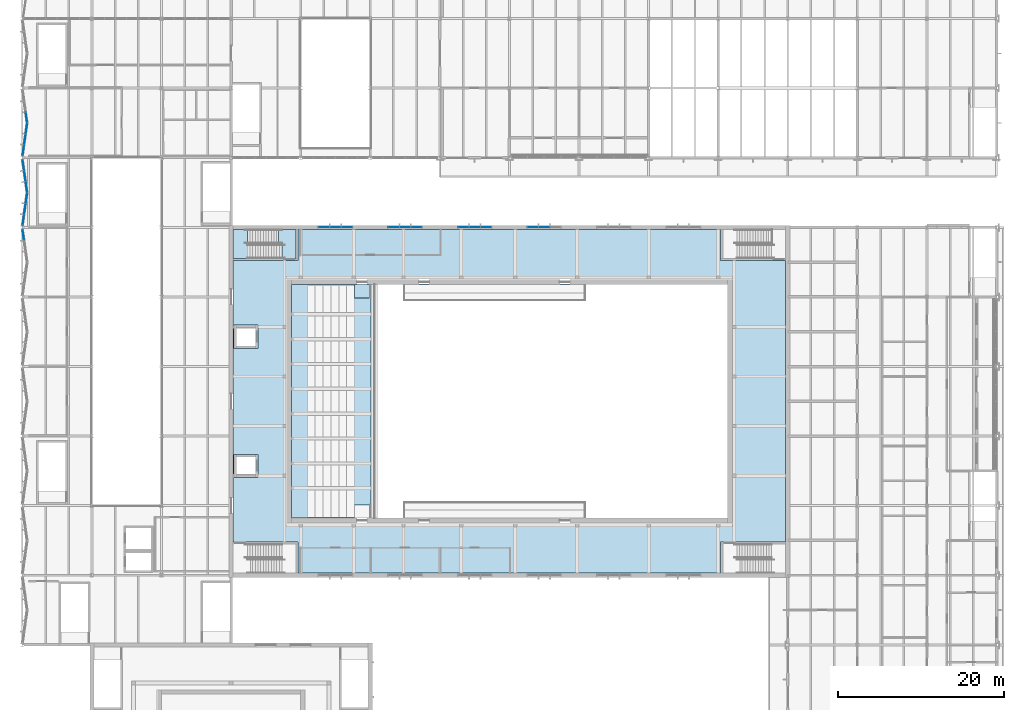
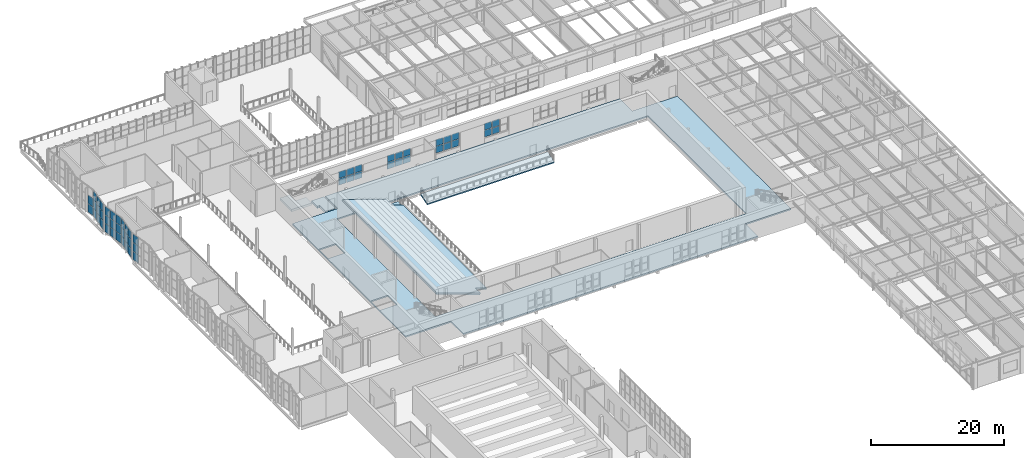
# One storey, part 60 of 116: 54 plates, 6 slabs, 10 elements without a shape of their own.
"""IFC4 building model written with IfcOpenShell, lengths in metres."""

from ifc_helpers import new_model, si_unit, direction, frame, origin, origin_2d, place, context, subcontext, project, spatial, polyline, rectangle, outline, extrude, material, layer, layer_set, type_object, element, aggregate, save


model = new_model("IFC4")

# Units and contexts
model_context = context("Model", 3, precision=1e-05, world=origin(), true_north=direction((0.0, 1.0)))
body_context = subcontext(model_context, "Body", "Model", "MODEL_VIEW")
ifc_project = project(units=[si_unit("LENGTHUNIT", "METRE"), si_unit("AREAUNIT", "SQUARE_METRE"), si_unit("VOLUMEUNIT", "CUBIC_METRE"), si_unit("PLANEANGLEUNIT", "RADIAN"), si_unit("MASSUNIT", "GRAM", prefix="KILO")], contexts=[model_context])

# Site, building, storey
site_placement = place(None, origin())
site = spatial("IfcSite", under=ifc_project, at=site_placement, CompositionType="ELEMENT")
building_placement = place(site_placement, origin())
building = spatial("IfcBuilding", under=site, at=building_placement, Name="Ljudholm Concert House", CompositionType="ELEMENT")
storey_placement = place(building_placement, frame((0.0, 0.0, 10.199951171875)))
storey = spatial("IfcBuildingStorey", under=building, at=storey_placement, Name="L02", CompositionType="ELEMENT", Elevation=10.199951171875)

# Curtain wall, plates
ifc_material_1 = material(Name="Aluminium curtain wall with impact-rated laminated glass", Category="aluminium")
curtain_wall_type = type_object("IfcCurtainWallType", Name="CURTAIN WALL 1400", PredefinedType="NOTDEFINED", material=ifc_material_1)
curtain_wall_1_placement = place(storey_placement, origin())
curtain_wall_1 = element("IfcCurtainWall", 1, at=curtain_wall_1_placement, inside=storey, type_object=curtain_wall_type, Name="Promenade curtain wall", PredefinedType="NOTDEFINED")
ifc_material_2 = material(Name="Impact-rated laminated glass", Category="glass")
ifc_layer_1 = layer(ifc_material_2, 0.028076171875)
ifc_layer_set_1 = layer_set([ifc_layer_1], Name="Impact-rated laminated glass")
plate_type = type_object("IfcPlateType", Name="CURTAIN PANEL 28", PredefinedType="CURTAIN_PANEL", material=ifc_layer_set_1)
plate_1_placement = place(storey_placement, frame((40.43505859375, 96.39990234375, 0.9599609375), z_axis=(0.0, 0.0, 1.0), x_axis=(1.0, 0.0, 0.0)))
plate_1 = element("IfcPlate", 2, at=plate_1_placement, type_object=plate_type, Name="Curtain wall panel", PredefinedType="CURTAIN_PANEL", context=body_context, shape_type="SweptSolid", body=[
    extrude(rectangle(XDim=1.2900390625, YDim=0.028076171875, at=origin_2d()), origin(), (0.0, 0.0, 1.0), 1.2099609375),
])
plate_2_placement = place(storey_placement, frame((40.43505859375, 96.39990234375, 2.22998046875), z_axis=(0.0, 0.0, 1.0), x_axis=(1.0, 0.0, 0.0)))
plate_2 = element("IfcPlate", 3, at=plate_2_placement, type_object=plate_type, Name="Curtain wall panel", PredefinedType="CURTAIN_PANEL", context=body_context, shape_type="SweptSolid", body=[
    extrude(rectangle(XDim=1.2900390625, YDim=0.028076171875, at=origin_2d()), origin(), (0.0, 0.0, 1.0), 1.2099609375),
])
plate_3_placement = place(storey_placement, frame((41.800048828125, 96.39990234375, 0.9599609375), z_axis=(0.0, 0.0, 1.0), x_axis=(1.0, 0.0, 0.0)))
plate_3 = element("IfcPlate", 4, at=plate_3_placement, type_object=plate_type, Name="Curtain wall panel", PredefinedType="CURTAIN_PANEL", context=body_context, shape_type="SweptSolid", body=[
    extrude(rectangle(XDim=1.320068359375, YDim=0.028076171875, at=origin_2d()), origin(), (0.0, 0.0, 1.0), 1.2099609375),
])
plate_4_placement = place(storey_placement, frame((41.800048828125, 96.39990234375, 2.22998046875), z_axis=(0.0, 0.0, 1.0), x_axis=(1.0, 0.0, 0.0)))
plate_4 = element("IfcPlate", 5, at=plate_4_placement, type_object=plate_type, Name="Curtain wall panel", PredefinedType="CURTAIN_PANEL", context=body_context, shape_type="SweptSolid", body=[
    extrude(rectangle(XDim=1.320068359375, YDim=0.028076171875, at=origin_2d()), origin(), (0.0, 0.0, 1.0), 1.2099609375),
])
plate_5_placement = place(storey_placement, frame((43.1650390625, 96.39990234375, 0.9599609375), z_axis=(0.0, 0.0, 1.0), x_axis=(1.0, 0.0, 0.0)))
plate_5 = element("IfcPlate", 6, at=plate_5_placement, type_object=plate_type, Name="Curtain wall panel", PredefinedType="CURTAIN_PANEL", context=body_context, shape_type="SweptSolid", body=[
    extrude(rectangle(XDim=1.2900390625, YDim=0.028076171875, at=origin_2d()), origin(), (0.0, 0.0, 1.0), 1.2099609375),
])
plate_6_placement = place(storey_placement, frame((43.1650390625, 96.39990234375, 2.22998046875), z_axis=(0.0, 0.0, 1.0), x_axis=(1.0, 0.0, 0.0)))
plate_6 = element("IfcPlate", 7, at=plate_6_placement, type_object=plate_type, Name="Curtain wall panel", PredefinedType="CURTAIN_PANEL", context=body_context, shape_type="SweptSolid", body=[
    extrude(rectangle(XDim=1.2900390625, YDim=0.028076171875, at=origin_2d()), origin(), (0.0, 0.0, 1.0), 1.2099609375),
])
aggregate(curtain_wall_1, [plate_1, plate_2, plate_3, plate_4, plate_5, plate_6])

curtain_wall_2_placement = place(storey_placement, origin())
curtain_wall_2 = element("IfcCurtainWall", 8, at=curtain_wall_2_placement, inside=storey, type_object=curtain_wall_type, Name="Promenade curtain wall", PredefinedType="NOTDEFINED")
plate_7_placement = place(storey_placement, frame((48.8349609375, 96.39990234375, 0.9599609375), z_axis=(0.0, 0.0, 1.0), x_axis=(1.0, 0.0, 0.0)))
plate_7 = element("IfcPlate", 9, at=plate_7_placement, type_object=plate_type, Name="Curtain wall panel", PredefinedType="CURTAIN_PANEL", context=body_context, shape_type="SweptSolid", body=[
    extrude(rectangle(XDim=1.2900390625, YDim=0.028076171875, at=origin_2d()), origin(), (0.0, 0.0, 1.0), 1.2099609375),
])
plate_8_placement = place(storey_placement, frame((48.8349609375, 96.39990234375, 2.22998046875), z_axis=(0.0, 0.0, 1.0), x_axis=(1.0, 0.0, 0.0)))
plate_8 = element("IfcPlate", 10, at=plate_8_placement, type_object=plate_type, Name="Curtain wall panel", PredefinedType="CURTAIN_PANEL", context=body_context, shape_type="SweptSolid", body=[
    extrude(rectangle(XDim=1.2900390625, YDim=0.028076171875, at=origin_2d()), origin(), (0.0, 0.0, 1.0), 1.2099609375),
])
plate_9_placement = place(storey_placement, frame((50.199951171875, 96.39990234375, 0.9599609375), z_axis=(0.0, 0.0, 1.0), x_axis=(1.0, 0.0, 0.0)))
plate_9 = element("IfcPlate", 11, at=plate_9_placement, type_object=plate_type, Name="Curtain wall panel", PredefinedType="CURTAIN_PANEL", context=body_context, shape_type="SweptSolid", body=[
    extrude(rectangle(XDim=1.320068359375, YDim=0.028076171875, at=origin_2d()), origin(), (0.0, 0.0, 1.0), 1.2099609375),
])
plate_10_placement = place(storey_placement, frame((50.199951171875, 96.39990234375, 2.22998046875), z_axis=(0.0, 0.0, 1.0), x_axis=(1.0, 0.0, 0.0)))
plate_10 = element("IfcPlate", 12, at=plate_10_placement, type_object=plate_type, Name="Curtain wall panel", PredefinedType="CURTAIN_PANEL", context=body_context, shape_type="SweptSolid", body=[
    extrude(rectangle(XDim=1.320068359375, YDim=0.028076171875, at=origin_2d()), origin(), (0.0, 0.0, 1.0), 1.2099609375),
])
plate_11_placement = place(storey_placement, frame((51.56494140625, 96.39990234375, 0.9599609375), z_axis=(0.0, 0.0, 1.0), x_axis=(1.0, 0.0, 0.0)))
plate_11 = element("IfcPlate", 13, at=plate_11_placement, type_object=plate_type, Name="Curtain wall panel", PredefinedType="CURTAIN_PANEL", context=body_context, shape_type="SweptSolid", body=[
    extrude(rectangle(XDim=1.2900390625, YDim=0.028076171875, at=origin_2d()), origin(), (0.0, 0.0, 1.0), 1.2099609375),
])
plate_12_placement = place(storey_placement, frame((51.56494140625, 96.39990234375, 2.22998046875), z_axis=(0.0, 0.0, 1.0), x_axis=(1.0, 0.0, 0.0)))
plate_12 = element("IfcPlate", 14, at=plate_12_placement, type_object=plate_type, Name="Curtain wall panel", PredefinedType="CURTAIN_PANEL", context=body_context, shape_type="SweptSolid", body=[
    extrude(rectangle(XDim=1.2900390625, YDim=0.028076171875, at=origin_2d()), origin(), (0.0, 0.0, 1.0), 1.2099609375),
])
aggregate(curtain_wall_2, [plate_7, plate_8, plate_9, plate_10, plate_11, plate_12])

curtain_wall_3_placement = place(storey_placement, origin())
curtain_wall_3 = element("IfcCurtainWall", 15, at=curtain_wall_3_placement, inside=storey, type_object=curtain_wall_type, Name="Promenade curtain wall", PredefinedType="NOTDEFINED")
plate_13_placement = place(storey_placement, frame((57.235107421875, 96.39990234375, 0.9599609375), z_axis=(0.0, 0.0, 1.0), x_axis=(1.0, 0.0, 0.0)))
plate_13 = element("IfcPlate", 16, at=plate_13_placement, type_object=plate_type, Name="Curtain wall panel", PredefinedType="CURTAIN_PANEL", context=body_context, shape_type="SweptSolid", body=[
    extrude(rectangle(XDim=1.2900390625, YDim=0.028076171875, at=origin_2d()), origin(), (0.0, 0.0, 1.0), 1.2099609375),
])
plate_14_placement = place(storey_placement, frame((57.235107421875, 96.39990234375, 2.22998046875), z_axis=(0.0, 0.0, 1.0), x_axis=(1.0, 0.0, 0.0)))
plate_14 = element("IfcPlate", 17, at=plate_14_placement, type_object=plate_type, Name="Curtain wall panel", PredefinedType="CURTAIN_PANEL", context=body_context, shape_type="SweptSolid", body=[
    extrude(rectangle(XDim=1.2900390625, YDim=0.028076171875, at=origin_2d()), origin(), (0.0, 0.0, 1.0), 1.2099609375),
])
plate_15_placement = place(storey_placement, frame((58.60009765625, 96.39990234375, 0.9599609375), z_axis=(0.0, 0.0, 1.0), x_axis=(1.0, 0.0, 0.0)))
plate_15 = element("IfcPlate", 18, at=plate_15_placement, type_object=plate_type, Name="Curtain wall panel", PredefinedType="CURTAIN_PANEL", context=body_context, shape_type="SweptSolid", body=[
    extrude(rectangle(XDim=1.320068359375, YDim=0.028076171875, at=origin_2d()), origin(), (0.0, 0.0, 1.0), 1.2099609375),
])
plate_16_placement = place(storey_placement, frame((58.60009765625, 96.39990234375, 2.22998046875), z_axis=(0.0, 0.0, 1.0), x_axis=(1.0, 0.0, 0.0)))
plate_16 = element("IfcPlate", 19, at=plate_16_placement, type_object=plate_type, Name="Curtain wall panel", PredefinedType="CURTAIN_PANEL", context=body_context, shape_type="SweptSolid", body=[
    extrude(rectangle(XDim=1.320068359375, YDim=0.028076171875, at=origin_2d()), origin(), (0.0, 0.0, 1.0), 1.2099609375),
])
plate_17_placement = place(storey_placement, frame((59.965087890625, 96.39990234375, 0.9599609375), z_axis=(0.0, 0.0, 1.0), x_axis=(1.0, 0.0, 0.0)))
plate_17 = element("IfcPlate", 20, at=plate_17_placement, type_object=plate_type, Name="Curtain wall panel", PredefinedType="CURTAIN_PANEL", context=body_context, shape_type="SweptSolid", body=[
    extrude(rectangle(XDim=1.2900390625, YDim=0.028076171875, at=origin_2d()), origin(), (0.0, 0.0, 1.0), 1.2099609375),
])
plate_18_placement = place(storey_placement, frame((59.965087890625, 96.39990234375, 2.22998046875), z_axis=(0.0, 0.0, 1.0), x_axis=(1.0, 0.0, 0.0)))
plate_18 = element("IfcPlate", 21, at=plate_18_placement, type_object=plate_type, Name="Curtain wall panel", PredefinedType="CURTAIN_PANEL", context=body_context, shape_type="SweptSolid", body=[
    extrude(rectangle(XDim=1.2900390625, YDim=0.028076171875, at=origin_2d()), origin(), (0.0, 0.0, 1.0), 1.2099609375),
])
aggregate(curtain_wall_3, [plate_13, plate_14, plate_15, plate_16, plate_17, plate_18])

curtain_wall_4_placement = place(storey_placement, origin())
curtain_wall_4 = element("IfcCurtainWall", 22, at=curtain_wall_4_placement, inside=storey, type_object=curtain_wall_type, Name="Promenade curtain wall", PredefinedType="NOTDEFINED")
plate_19_placement = place(storey_placement, frame((65.635009765625, 96.39990234375, 0.9599609375), z_axis=(0.0, 0.0, 1.0), x_axis=(1.0, 0.0, 0.0)))
plate_19 = element("IfcPlate", 23, at=plate_19_placement, type_object=plate_type, Name="Curtain wall panel", PredefinedType="CURTAIN_PANEL", context=body_context, shape_type="SweptSolid", body=[
    extrude(rectangle(XDim=1.2900390625, YDim=0.028076171875, at=origin_2d()), origin(), (0.0, 0.0, 1.0), 1.2099609375),
])
plate_20_placement = place(storey_placement, frame((65.635009765625, 96.39990234375, 2.22998046875), z_axis=(0.0, 0.0, 1.0), x_axis=(1.0, 0.0, 0.0)))
plate_20 = element("IfcPlate", 24, at=plate_20_placement, type_object=plate_type, Name="Curtain wall panel", PredefinedType="CURTAIN_PANEL", context=body_context, shape_type="SweptSolid", body=[
    extrude(rectangle(XDim=1.2900390625, YDim=0.028076171875, at=origin_2d()), origin(), (0.0, 0.0, 1.0), 1.2099609375),
])
plate_21_placement = place(storey_placement, frame((67.0, 96.39990234375, 0.9599609375), z_axis=(0.0, 0.0, 1.0), x_axis=(1.0, 0.0, 0.0)))
plate_21 = element("IfcPlate", 25, at=plate_21_placement, type_object=plate_type, Name="Curtain wall panel", PredefinedType="CURTAIN_PANEL", context=body_context, shape_type="SweptSolid", body=[
    extrude(rectangle(XDim=1.320068359375, YDim=0.028076171875, at=origin_2d()), origin(), (0.0, 0.0, 1.0), 1.2099609375),
])
plate_22_placement = place(storey_placement, frame((67.0, 96.39990234375, 2.22998046875), z_axis=(0.0, 0.0, 1.0), x_axis=(1.0, 0.0, 0.0)))
plate_22 = element("IfcPlate", 26, at=plate_22_placement, type_object=plate_type, Name="Curtain wall panel", PredefinedType="CURTAIN_PANEL", context=body_context, shape_type="SweptSolid", body=[
    extrude(rectangle(XDim=1.320068359375, YDim=0.028076171875, at=origin_2d()), origin(), (0.0, 0.0, 1.0), 1.2099609375),
])
aggregate(curtain_wall_4, [plate_19, plate_20, plate_21, plate_22])

curtain_wall_5_placement = place(storey_placement, origin())
curtain_wall_5 = element("IfcCurtainWall", 27, at=curtain_wall_5_placement, inside=storey, type_object=curtain_wall_type, Name="Facade curtain wall", PredefinedType="NOTDEFINED")
plate_23_placement = place(storey_placement, frame((4.1279296875, 95.503662109375, 0.06005859375), z_axis=(0.0, 0.0, 1.0), x_axis=(-0.141421356338, 0.989949493647, 0.0)))
plate_23 = element("IfcPlate", 28, at=plate_23_placement, type_object=plate_type, Name="Curtain wall panel", PredefinedType="CURTAIN_PANEL", context=body_context, shape_type="SweptSolid", body=[
    extrude(rectangle(XDim=1.2509765625, YDim=0.028076171875, at=origin_2d()), origin(), (0.0, 0.0, 1.0), 1.510009765625),
])
plate_24_placement = place(storey_placement, frame((4.1279296875, 95.503662109375, 1.630126953125), z_axis=(0.0, 0.0, 1.0), x_axis=(-0.141421356338, 0.989949493647, 0.0)))
plate_24 = element("IfcPlate", 29, at=plate_24_placement, type_object=plate_type, Name="Curtain wall panel", PredefinedType="CURTAIN_PANEL", context=body_context, shape_type="SweptSolid", body=[
    extrude(rectangle(XDim=1.2509765625, YDim=0.028076171875, at=origin_2d()), origin(), (0.0, 0.0, 1.0), 1.5400390625),
])
plate_25_placement = place(storey_placement, frame((4.1279296875, 95.503662109375, 3.22998046875), z_axis=(0.0, 0.0, 1.0), x_axis=(-0.141421356338, 0.989949493647, 0.0)))
plate_25 = element("IfcPlate", 30, at=plate_25_placement, type_object=plate_type, Name="Curtain wall panel", PredefinedType="CURTAIN_PANEL", context=body_context, shape_type="SweptSolid", body=[
    extrude(rectangle(XDim=1.2509765625, YDim=0.028076171875, at=origin_2d()), origin(), (0.0, 0.0, 1.0), 1.510009765625),
])
aggregate(curtain_wall_5, [plate_23, plate_24, plate_25])

curtain_wall_6_placement = place(storey_placement, origin())
curtain_wall_6 = element("IfcCurtainWall", 31, at=curtain_wall_6_placement, inside=storey, type_object=curtain_wall_type, Name="Facade curtain wall", PredefinedType="NOTDEFINED")
plate_26_placement = place(storey_placement, frame((4.1279296875, 97.29638671875, 0.06005859375), z_axis=(0.0, 0.0, 1.0), x_axis=(0.141421356338, 0.989949493647, 0.0)))
plate_26 = element("IfcPlate", 32, at=plate_26_placement, type_object=plate_type, Name="Curtain wall panel", PredefinedType="CURTAIN_PANEL", context=body_context, shape_type="SweptSolid", body=[
    extrude(rectangle(XDim=1.2509765625, YDim=0.028076171875, at=origin_2d()), origin(), (0.0, 0.0, 1.0), 1.510009765625),
])
plate_27_placement = place(storey_placement, frame((4.1279296875, 97.29638671875, 1.630126953125), z_axis=(0.0, 0.0, 1.0), x_axis=(0.141421356338, 0.989949493647, 0.0)))
plate_27 = element("IfcPlate", 33, at=plate_27_placement, type_object=plate_type, Name="Curtain wall panel", PredefinedType="CURTAIN_PANEL", context=body_context, shape_type="SweptSolid", body=[
    extrude(rectangle(XDim=1.2509765625, YDim=0.028076171875, at=origin_2d()), origin(), (0.0, 0.0, 1.0), 1.5400390625),
])
plate_28_placement = place(storey_placement, frame((4.1279296875, 97.29638671875, 3.22998046875), z_axis=(0.0, 0.0, 1.0), x_axis=(0.141421356338, 0.989949493647, 0.0)))
plate_28 = element("IfcPlate", 34, at=plate_28_placement, type_object=plate_type, Name="Curtain wall panel", PredefinedType="CURTAIN_PANEL", context=body_context, shape_type="SweptSolid", body=[
    extrude(rectangle(XDim=1.2509765625, YDim=0.028076171875, at=origin_2d()), origin(), (0.0, 0.0, 1.0), 1.510009765625),
])
plate_29_placement = place(storey_placement, frame((4.315673828125, 98.60888671875, 0.06005859375), z_axis=(0.0, 0.0, 1.0), x_axis=(0.141421356338, 0.989949493647, 0.0)))
plate_29 = element("IfcPlate", 35, at=plate_29_placement, type_object=plate_type, Name="Curtain wall panel", PredefinedType="CURTAIN_PANEL", context=body_context, shape_type="SweptSolid", body=[
    extrude(rectangle(XDim=1.28076171875, YDim=0.028076171875, at=origin_2d()), origin(), (0.0, 0.0, 1.0), 1.510009765625),
])
plate_30_placement = place(storey_placement, frame((4.315673828125, 98.60888671875, 1.630126953125), z_axis=(0.0, 0.0, 1.0), x_axis=(0.141421356338, 0.989949493647, 0.0)))
plate_30 = element("IfcPlate", 36, at=plate_30_placement, type_object=plate_type, Name="Curtain wall panel", PredefinedType="CURTAIN_PANEL", context=body_context, shape_type="SweptSolid", body=[
    extrude(rectangle(XDim=1.28076171875, YDim=0.028076171875, at=origin_2d()), origin(), (0.0, 0.0, 1.0), 1.5400390625),
])
plate_31_placement = place(storey_placement, frame((4.315673828125, 98.60888671875, 3.22998046875), z_axis=(0.0, 0.0, 1.0), x_axis=(0.141421356338, 0.989949493647, 0.0)))
plate_31 = element("IfcPlate", 37, at=plate_31_placement, type_object=plate_type, Name="Curtain wall panel", PredefinedType="CURTAIN_PANEL", context=body_context, shape_type="SweptSolid", body=[
    extrude(rectangle(XDim=1.28076171875, YDim=0.028076171875, at=origin_2d()), origin(), (0.0, 0.0, 1.0), 1.510009765625),
])
plate_32_placement = place(storey_placement, frame((4.503173828125, 99.92138671875, 0.06005859375), z_axis=(0.0, 0.0, 1.0), x_axis=(0.141421356338, 0.989949493647, 0.0)))
plate_32 = element("IfcPlate", 38, at=plate_32_placement, type_object=plate_type, Name="Curtain wall panel", PredefinedType="CURTAIN_PANEL", context=body_context, shape_type="SweptSolid", body=[
    extrude(rectangle(XDim=1.2509765625, YDim=0.028076171875, at=origin_2d()), origin(), (0.0, 0.0, 1.0), 1.510009765625),
])
plate_33_placement = place(storey_placement, frame((4.503173828125, 99.92138671875, 1.630126953125), z_axis=(0.0, 0.0, 1.0), x_axis=(0.141421356338, 0.989949493647, 0.0)))
plate_33 = element("IfcPlate", 39, at=plate_33_placement, type_object=plate_type, Name="Curtain wall panel", PredefinedType="CURTAIN_PANEL", context=body_context, shape_type="SweptSolid", body=[
    extrude(rectangle(XDim=1.2509765625, YDim=0.028076171875, at=origin_2d()), origin(), (0.0, 0.0, 1.0), 1.5400390625),
])
plate_34_placement = place(storey_placement, frame((4.503173828125, 99.92138671875, 3.22998046875), z_axis=(0.0, 0.0, 1.0), x_axis=(0.141421356338, 0.989949493647, 0.0)))
plate_34 = element("IfcPlate", 40, at=plate_34_placement, type_object=plate_type, Name="Curtain wall panel", PredefinedType="CURTAIN_PANEL", context=body_context, shape_type="SweptSolid", body=[
    extrude(rectangle(XDim=1.2509765625, YDim=0.028076171875, at=origin_2d()), origin(), (0.0, 0.0, 1.0), 1.510009765625),
])
aggregate(curtain_wall_6, [plate_26, plate_27, plate_28, plate_29, plate_30, plate_31, plate_32, plate_33, plate_34])

curtain_wall_7_placement = place(storey_placement, origin())
curtain_wall_7 = element("IfcCurtainWall", 41, at=curtain_wall_7_placement, inside=storey, type_object=curtain_wall_type, Name="Facade curtain wall", PredefinedType="NOTDEFINED")
plate_35_placement = place(storey_placement, frame((4.503173828125, 101.278564453125, 0.06005859375), z_axis=(0.0, 0.0, 1.0), x_axis=(-0.141421356338, 0.989949493647, 0.0)))
plate_35 = element("IfcPlate", 42, at=plate_35_placement, type_object=plate_type, Name="Curtain wall panel", PredefinedType="CURTAIN_PANEL", context=body_context, shape_type="SweptSolid", body=[
    extrude(rectangle(XDim=1.2509765625, YDim=0.028076171875, at=origin_2d()), origin(), (0.0, 0.0, 1.0), 1.510009765625),
])
plate_36_placement = place(storey_placement, frame((4.503173828125, 101.278564453125, 1.630126953125), z_axis=(0.0, 0.0, 1.0), x_axis=(-0.141421356338, 0.989949493647, 0.0)))
plate_36 = element("IfcPlate", 43, at=plate_36_placement, type_object=plate_type, Name="Curtain wall panel", PredefinedType="CURTAIN_PANEL", context=body_context, shape_type="SweptSolid", body=[
    extrude(rectangle(XDim=1.2509765625, YDim=0.028076171875, at=origin_2d()), origin(), (0.0, 0.0, 1.0), 1.5400390625),
])
plate_37_placement = place(storey_placement, frame((4.503173828125, 101.278564453125, 3.22998046875), z_axis=(0.0, 0.0, 1.0), x_axis=(-0.141421356338, 0.989949493647, 0.0)))
plate_37 = element("IfcPlate", 44, at=plate_37_placement, type_object=plate_type, Name="Curtain wall panel", PredefinedType="CURTAIN_PANEL", context=body_context, shape_type="SweptSolid", body=[
    extrude(rectangle(XDim=1.2509765625, YDim=0.028076171875, at=origin_2d()), origin(), (0.0, 0.0, 1.0), 1.510009765625),
])
plate_38_placement = place(storey_placement, frame((4.315673828125, 102.591064453125, 0.06005859375), z_axis=(0.0, 0.0, 1.0), x_axis=(-0.141421356338, 0.989949493647, 0.0)))
plate_38 = element("IfcPlate", 45, at=plate_38_placement, type_object=plate_type, Name="Curtain wall panel", PredefinedType="CURTAIN_PANEL", context=body_context, shape_type="SweptSolid", body=[
    extrude(rectangle(XDim=1.28076171875, YDim=0.028076171875, at=origin_2d()), origin(), (0.0, 0.0, 1.0), 1.510009765625),
])
plate_39_placement = place(storey_placement, frame((4.315673828125, 102.591064453125, 1.630126953125), z_axis=(0.0, 0.0, 1.0), x_axis=(-0.141421356338, 0.989949493647, 0.0)))
plate_39 = element("IfcPlate", 46, at=plate_39_placement, type_object=plate_type, Name="Curtain wall panel", PredefinedType="CURTAIN_PANEL", context=body_context, shape_type="SweptSolid", body=[
    extrude(rectangle(XDim=1.28076171875, YDim=0.028076171875, at=origin_2d()), origin(), (0.0, 0.0, 1.0), 1.5400390625),
])
plate_40_placement = place(storey_placement, frame((4.315673828125, 102.591064453125, 3.22998046875), z_axis=(0.0, 0.0, 1.0), x_axis=(-0.141421356338, 0.989949493647, 0.0)))
plate_40 = element("IfcPlate", 47, at=plate_40_placement, type_object=plate_type, Name="Curtain wall panel", PredefinedType="CURTAIN_PANEL", context=body_context, shape_type="SweptSolid", body=[
    extrude(rectangle(XDim=1.28076171875, YDim=0.028076171875, at=origin_2d()), origin(), (0.0, 0.0, 1.0), 1.510009765625),
])
plate_41_placement = place(storey_placement, frame((4.1279296875, 103.903564453125, 0.06005859375), z_axis=(0.0, 0.0, 1.0), x_axis=(-0.141421356338, 0.989949493647, 0.0)))
plate_41 = element("IfcPlate", 48, at=plate_41_placement, type_object=plate_type, Name="Curtain wall panel", PredefinedType="CURTAIN_PANEL", context=body_context, shape_type="SweptSolid", body=[
    extrude(rectangle(XDim=1.2509765625, YDim=0.028076171875, at=origin_2d()), origin(), (0.0, 0.0, 1.0), 1.510009765625),
])
plate_42_placement = place(storey_placement, frame((4.1279296875, 103.903564453125, 1.630126953125), z_axis=(0.0, 0.0, 1.0), x_axis=(-0.141421356338, 0.989949493647, 0.0)))
plate_42 = element("IfcPlate", 49, at=plate_42_placement, type_object=plate_type, Name="Curtain wall panel", PredefinedType="CURTAIN_PANEL", context=body_context, shape_type="SweptSolid", body=[
    extrude(rectangle(XDim=1.2509765625, YDim=0.028076171875, at=origin_2d()), origin(), (0.0, 0.0, 1.0), 1.5400390625),
])
plate_43_placement = place(storey_placement, frame((4.1279296875, 103.903564453125, 3.22998046875), z_axis=(0.0, 0.0, 1.0), x_axis=(-0.141421356338, 0.989949493647, 0.0)))
plate_43 = element("IfcPlate", 50, at=plate_43_placement, type_object=plate_type, Name="Curtain wall panel", PredefinedType="CURTAIN_PANEL", context=body_context, shape_type="SweptSolid", body=[
    extrude(rectangle(XDim=1.2509765625, YDim=0.028076171875, at=origin_2d()), origin(), (0.0, 0.0, 1.0), 1.510009765625),
])
aggregate(curtain_wall_7, [plate_35, plate_36, plate_37, plate_38, plate_39, plate_40, plate_41, plate_42, plate_43])

curtain_wall_8_placement = place(storey_placement, origin())
curtain_wall_8 = element("IfcCurtainWall", 51, at=curtain_wall_8_placement, inside=storey, type_object=curtain_wall_type, Name="Facade curtain wall", PredefinedType="NOTDEFINED")
plate_44_placement = place(storey_placement, frame((4.1279296875, 105.6962890625, 0.06005859375), z_axis=(0.0, 0.0, 1.0), x_axis=(0.141421356338, 0.989949493647, 0.0)))
plate_44 = element("IfcPlate", 52, at=plate_44_placement, type_object=plate_type, Name="Curtain wall panel", PredefinedType="CURTAIN_PANEL", context=body_context, shape_type="SweptSolid", body=[
    extrude(rectangle(XDim=1.2509765625, YDim=0.028076171875, at=origin_2d()), origin(), (0.0, 0.0, 1.0), 1.510009765625),
])
plate_45_placement = place(storey_placement, frame((4.1279296875, 105.6962890625, 1.630126953125), z_axis=(0.0, 0.0, 1.0), x_axis=(0.141421356338, 0.989949493647, 0.0)))
plate_45 = element("IfcPlate", 53, at=plate_45_placement, type_object=plate_type, Name="Curtain wall panel", PredefinedType="CURTAIN_PANEL", context=body_context, shape_type="SweptSolid", body=[
    extrude(rectangle(XDim=1.2509765625, YDim=0.028076171875, at=origin_2d()), origin(), (0.0, 0.0, 1.0), 1.5400390625),
])
plate_46_placement = place(storey_placement, frame((4.1279296875, 105.6962890625, 3.22998046875), z_axis=(0.0, 0.0, 1.0), x_axis=(0.141421356338, 0.989949493647, 0.0)))
plate_46 = element("IfcPlate", 54, at=plate_46_placement, type_object=plate_type, Name="Curtain wall panel", PredefinedType="CURTAIN_PANEL", context=body_context, shape_type="SweptSolid", body=[
    extrude(rectangle(XDim=1.2509765625, YDim=0.028076171875, at=origin_2d()), origin(), (0.0, 0.0, 1.0), 1.510009765625),
])
plate_47_placement = place(storey_placement, frame((4.315673828125, 107.0087890625, 0.06005859375), z_axis=(0.0, 0.0, 1.0), x_axis=(0.141421356338, 0.989949493647, 0.0)))
plate_47 = element("IfcPlate", 55, at=plate_47_placement, type_object=plate_type, Name="Curtain wall panel", PredefinedType="CURTAIN_PANEL", context=body_context, shape_type="SweptSolid", body=[
    extrude(rectangle(XDim=1.28076171875, YDim=0.028076171875, at=origin_2d()), origin(), (0.0, 0.0, 1.0), 1.510009765625),
])
plate_48_placement = place(storey_placement, frame((4.315673828125, 107.0087890625, 1.630126953125), z_axis=(0.0, 0.0, 1.0), x_axis=(0.141421356338, 0.989949493647, 0.0)))
plate_48 = element("IfcPlate", 56, at=plate_48_placement, type_object=plate_type, Name="Curtain wall panel", PredefinedType="CURTAIN_PANEL", context=body_context, shape_type="SweptSolid", body=[
    extrude(rectangle(XDim=1.28076171875, YDim=0.028076171875, at=origin_2d()), origin(), (0.0, 0.0, 1.0), 1.5400390625),
])
plate_49_placement = place(storey_placement, frame((4.315673828125, 107.0087890625, 3.22998046875), z_axis=(0.0, 0.0, 1.0), x_axis=(0.141421356338, 0.989949493647, 0.0)))
plate_49 = element("IfcPlate", 57, at=plate_49_placement, type_object=plate_type, Name="Curtain wall panel", PredefinedType="CURTAIN_PANEL", context=body_context, shape_type="SweptSolid", body=[
    extrude(rectangle(XDim=1.28076171875, YDim=0.028076171875, at=origin_2d()), origin(), (0.0, 0.0, 1.0), 1.510009765625),
])
plate_50_placement = place(storey_placement, frame((4.503173828125, 108.321533203125, 0.06005859375), z_axis=(0.0, 0.0, 1.0), x_axis=(0.141421356338, 0.989949493647, 0.0)))
plate_50 = element("IfcPlate", 58, at=plate_50_placement, type_object=plate_type, Name="Curtain wall panel", PredefinedType="CURTAIN_PANEL", context=body_context, shape_type="SweptSolid", body=[
    extrude(rectangle(XDim=1.2509765625, YDim=0.028076171875, at=origin_2d()), origin(), (0.0, 0.0, 1.0), 1.510009765625),
])
plate_51_placement = place(storey_placement, frame((4.503173828125, 108.321533203125, 1.630126953125), z_axis=(0.0, 0.0, 1.0), x_axis=(0.141421356338, 0.989949493647, 0.0)))
plate_51 = element("IfcPlate", 59, at=plate_51_placement, type_object=plate_type, Name="Curtain wall panel", PredefinedType="CURTAIN_PANEL", context=body_context, shape_type="SweptSolid", body=[
    extrude(rectangle(XDim=1.2509765625, YDim=0.028076171875, at=origin_2d()), origin(), (0.0, 0.0, 1.0), 1.5400390625),
])
plate_52_placement = place(storey_placement, frame((4.503173828125, 108.321533203125, 3.22998046875), z_axis=(0.0, 0.0, 1.0), x_axis=(0.141421356338, 0.989949493647, 0.0)))
plate_52 = element("IfcPlate", 60, at=plate_52_placement, type_object=plate_type, Name="Curtain wall panel", PredefinedType="CURTAIN_PANEL", context=body_context, shape_type="SweptSolid", body=[
    extrude(rectangle(XDim=1.2509765625, YDim=0.028076171875, at=origin_2d()), origin(), (0.0, 0.0, 1.0), 1.510009765625),
])
aggregate(curtain_wall_8, [plate_44, plate_45, plate_46, plate_47, plate_48, plate_49, plate_50, plate_51, plate_52])

curtain_wall_9_placement = place(storey_placement, origin())
curtain_wall_9 = element("IfcCurtainWall", 61, at=curtain_wall_9_placement, inside=storey, type_object=curtain_wall_type, Name="Facade curtain wall", PredefinedType="NOTDEFINED")
plate_53_placement = place(storey_placement, frame((4.503173828125, 109.678466796875, 0.06005859375), z_axis=(0.0, 0.0, 1.0), x_axis=(-0.141421356338, 0.989949493647, 0.0)))
plate_53 = element("IfcPlate", 62, at=plate_53_placement, type_object=plate_type, Name="Curtain wall panel", PredefinedType="CURTAIN_PANEL", context=body_context, shape_type="SweptSolid", body=[
    extrude(rectangle(XDim=1.2509765625, YDim=0.028076171875, at=origin_2d()), origin(), (0.0, 0.0, 1.0), 1.510009765625),
])
plate_54_placement = place(storey_placement, frame((4.503173828125, 109.678466796875, 1.630126953125), z_axis=(0.0, 0.0, 1.0), x_axis=(-0.141421356338, 0.989949493647, 0.0)))
plate_54 = element("IfcPlate", 63, at=plate_54_placement, type_object=plate_type, Name="Curtain wall panel", PredefinedType="CURTAIN_PANEL", context=body_context, shape_type="SweptSolid", body=[
    extrude(rectangle(XDim=1.2509765625, YDim=0.028076171875, at=origin_2d()), origin(), (0.0, 0.0, 1.0), 1.5400390625),
])
aggregate(curtain_wall_9, [plate_53, plate_54])

# Slabs
ifc_material_3 = material(Name="Concrete 5,000 psi", Category="concrete")
ifc_layer_2 = layer(ifc_material_3, 0.300048828125)
ifc_layer_set_2 = layer_set([ifc_layer_2], Name="Concrete 5,000 psi")
slab_type_1 = type_object("IfcSlabType", Name="RAKED TIER SLAB 300", PredefinedType="USERDEFINED", material=ifc_layer_set_2)
slab_1_placement = place(storey_placement, frame((46.10009765625, 62.89990234375, 0.286376953125), z_axis=(0.336960863645, 0.0, 0.941518654288), x_axis=(-0.941518654288, 0.0, 0.336960863645)))
element("IfcSlab", 64, at=slab_1_placement, inside=storey, type_object=slab_type_1, Name="Stand Second Tier 1", ObjectType="SEATING TIER", PredefinedType="USERDEFINED", context=body_context, shape_type="SweptSolid", body=[
    extrude(outline(polyline([(0.0, 0.0), (2.1242407392899216, 0.0), (2.1242407392899216, 1.5998535156250004), (10.196398134271195, 1.5998535156250004), (10.196398134271195, -26.600097656250007), (2.1242407392899216, -26.600097656250007), (2.1242407392899216, -25.000000000000007), (0.0, -25.000000000000007), (0.0, 0.0)])), origin(), (0.0, 0.0, -1.0), 0.300048828125),
])
slab_2_placement = place(storey_placement, frame((72.0, 87.5, -0.599853515625), z_axis=(0.0, -0.287283522802, 0.957845591694), x_axis=(0.0, 0.957845591694, 0.287283522802)))
element("IfcSlab", 65, at=slab_2_placement, inside=storey, type_object=slab_type_1, Name="Stand Upper gallery North", ObjectType="SEATING TIER", PredefinedType="USERDEFINED", context=body_context, shape_type="SweptSolid", body=[
    extrude(outline(polyline([(0.0, 0.0), (2.0880192145207075, 0.0), (2.0880192145207075, 22.0), (0.0, 22.0), (0.0, 0.0)])), origin(), (0.0, 0.0, -1.0), 0.300048828125),
])
ifc_material_4 = material(Name="Concrete 5,000 psi", Category="concrete")
ifc_layer_3 = layer(ifc_material_4, 0.25)
ifc_layer_set_3 = layer_set([ifc_layer_3], Name="Concrete 5,000 psi")
slab_type_2 = type_object("IfcSlabType", Name="RC FLOOR SLAB 250", PredefinedType="FLOOR", material=ifc_layer_set_3)
slab_3_placement = place(storey_placement, frame((0.0, 0.0, -0.25)))
element("IfcSlab", 66, at=slab_3_placement, inside=storey, type_object=slab_type_2, Name="Ring floor", PredefinedType="FLOOR", context=body_context, shape_type="SweptSolid", body=[
    extrude(outline(polyline([(96.14990234375, 58.39990234375), (88.300048828125, 58.39990234375), (88.300048828125, 54.64990234375), (37.300048828125, 54.64990234375), (37.300048828125, 58.39990234375), (29.449951171875, 58.39990234375), (29.449951171875, 92.39990234375), (37.300048828125, 92.39990234375), (37.300048828125, 96.14990234375), (88.300048828125, 96.14990234375), (88.300048828125, 92.39990234375), (96.14990234375, 92.39990234375), (96.14990234375, 58.39990234375)]), holes=[polyline([(29.52490234375, 69.0), (29.52490234375, 66.199951171875), (32.47509765625, 66.199951171875), (32.47509765625, 69.0), (29.52490234375, 69.0)]), polyline([(35.85009765625, 90.14990234375), (35.85009765625, 60.64990234375), (89.75, 60.64990234375), (89.75, 90.14990234375), (35.85009765625, 90.14990234375)]), polyline([(29.52490234375, 84.60009765625), (29.52490234375, 81.800048828125), (32.47509765625, 81.800048828125), (32.47509765625, 84.60009765625), (29.52490234375, 84.60009765625)])]), origin(), (0.0, 0.0, 1.0), 0.25),
])
slab_4_placement = place(storey_placement, frame((0.0, 0.0, -0.25)))
element("IfcSlab", 67, at=slab_4_placement, inside=storey, type_object=slab_type_2, Name="Vomitory landing", PredefinedType="FLOOR", context=body_context, shape_type="SweptSolid", body=[
    extrude(outline(polyline([(44.10009765625, 87.89990234375), (46.10009765625, 87.89990234375), (46.10009765625, 89.5), (44.10009765625, 89.5), (44.10009765625, 87.89990234375)])), origin(), (0.0, 0.0, 1.0), 0.25),
])
ifc_material_5 = material(Name="Concrete 5,000 psi", Category="concrete")
ifc_layer_4 = layer(ifc_material_5, 0.39990234375)
ifc_layer_set_4 = layer_set([ifc_layer_4], Name="Concrete 5,000 psi")
slab_type_3 = type_object("IfcSlabType", Name="RC FLOOR SLAB 400", PredefinedType="FLOOR", material=ifc_layer_set_4)
slab_5_placement = place(storey_placement, frame((0.0, 0.0, -0.39990234375)))
element("IfcSlab", 68, at=slab_5_placement, inside=storey, type_object=slab_type_3, Name="Stair arrival floor EH2", PredefinedType="FLOOR", context=body_context, shape_type="SweptSolid", body=[
    extrude(outline(polyline([(37.050048828125, 96.14990234375), (37.050048828125, 92.64990234375), (35.349609375, 92.64990234375), (35.349609375, 94.449951171875), (34.949951171875, 94.449951171875), (34.949951171875, 96.14990234375), (35.349609375, 96.14990234375), (35.35009765625, 96.14990234375), (37.050048828125, 96.14990234375)])), origin(), (0.0, 0.0, 1.0), 0.39990234375),
])

# Stair, slab
ifc_material_6 = material(Name="Concrete 5,000 psi", Category="concrete")
stair_type = type_object("IfcStairType", Name="RC STAIR 1700x171x323", PredefinedType="HALF_TURN_STAIR", material=ifc_material_6)
stair_placement = place(storey_placement, origin())
stair = element("IfcStair", 69, at=stair_placement, inside=storey, type_object=stair_type, Name="Exit stair EH2", PredefinedType="HALF_TURN_STAIR")
ifc_material_7 = material(Name="Concrete 5,000 psi", Category="concrete")
ifc_layer_5 = layer(ifc_material_7, 0.409912109375)
ifc_layer_set_5 = layer_set([ifc_layer_5], Name="Concrete 5,000 psi")
slab_type_4 = type_object("IfcSlabType", Name="RC LANDING 410", PredefinedType="LANDING", material=ifc_layer_set_5)
slab_6_placement = place(storey_placement, frame((0.0, 0.0, 1.989990234375)))
slab_6 = element("IfcSlab", 70, at=slab_6_placement, type_object=slab_type_4, Name="Stair landing", PredefinedType="LANDING", context=body_context, shape_type="SweptSolid", body=[
    extrude(outline(polyline([(32.97998046875, 92.64990234375), (32.97998046875, 94.35009765625), (31.150390625, 94.35009765625), (31.150390625, 96.14990234375), (29.449951171875, 96.14990234375), (29.449951171875, 92.64990234375), (32.97998046875, 92.64990234375)])), origin(), (0.0, 0.0, 1.0), 0.41015625),
])
aggregate(stair, [slab_6])

save(model, "model.ifc")
